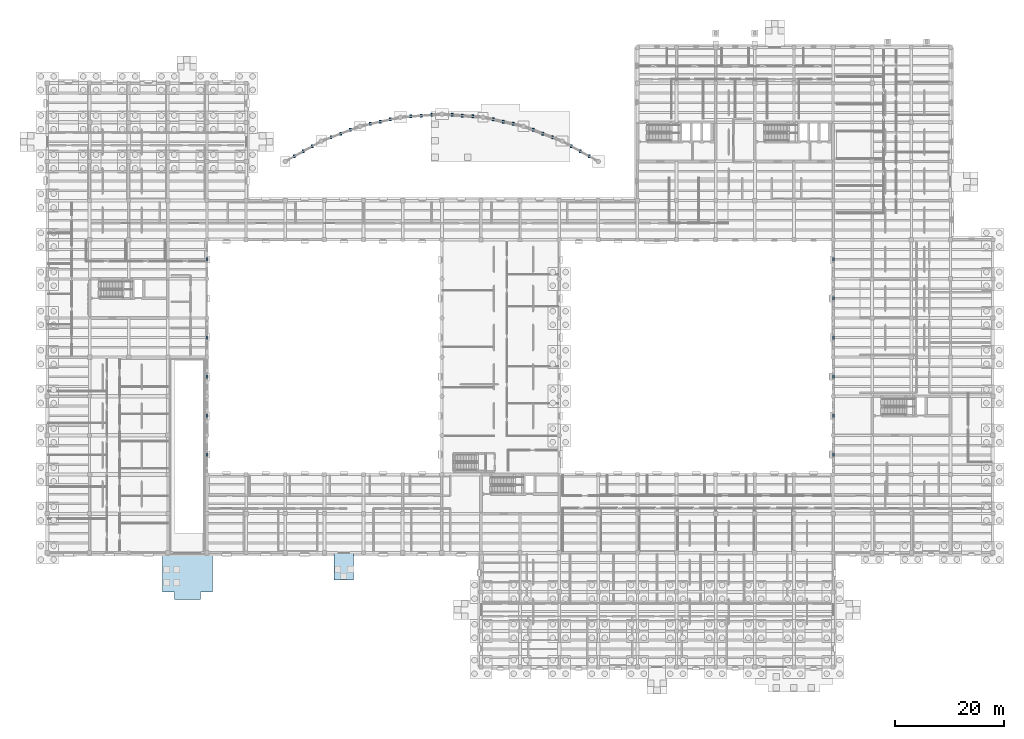
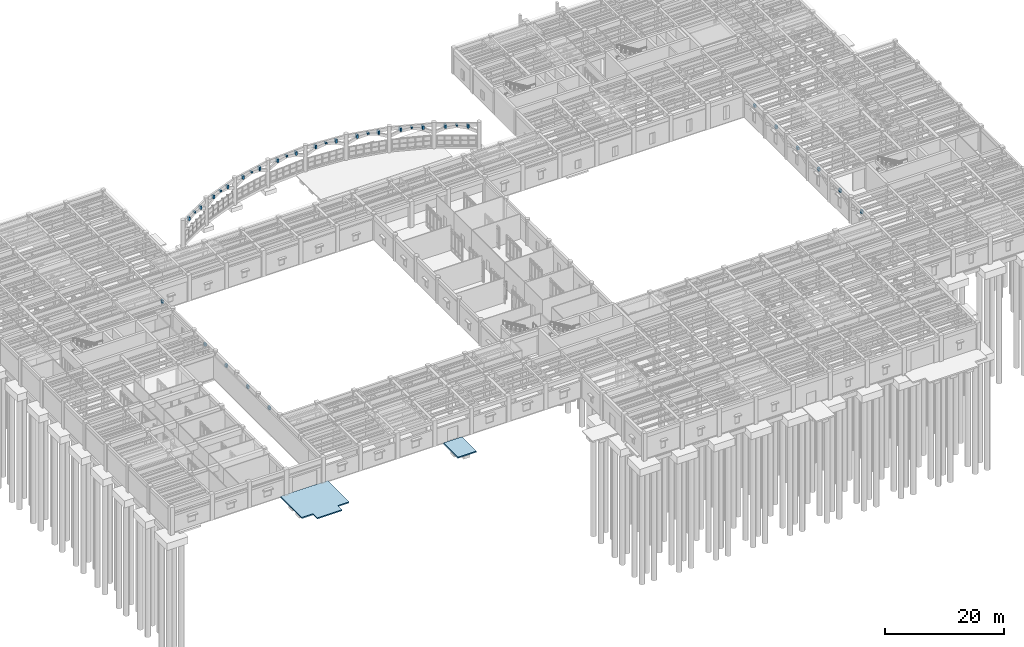
# One storey, part 49 of 100: 35 members, 2 slabs.
"""IFC4 building model written with IfcOpenShell, lengths in metres."""

from ifc_helpers import new_model, si_unit, direction, frame, origin, origin_2d, place, context, subcontext, project, spatial, polyline, rectangle, outline, extrude, material, layer, layer_set, material_profile, profile_set, type_object, element, save


model = new_model("IFC4")

# Units and contexts
model_context = context("Model", 3, precision=1e-05, world=origin(), true_north=direction((0.0, 1.0)))
body_context = subcontext(model_context, "Body", "Model", "MODEL_VIEW")
ifc_project = project(units=[si_unit("LENGTHUNIT", "METRE"), si_unit("AREAUNIT", "SQUARE_METRE"), si_unit("VOLUMEUNIT", "CUBIC_METRE"), si_unit("PLANEANGLEUNIT", "RADIAN"), si_unit("MASSUNIT", "GRAM", prefix="KILO")], contexts=[model_context])

# Site, building, storey
site_placement = place(None, origin())
site = spatial("IfcSite", under=ifc_project, at=site_placement, CompositionType="ELEMENT")
building_placement = place(site_placement, origin())
building = spatial("IfcBuilding", under=site, at=building_placement, Name="Mithqara Police Headquarters", CompositionType="ELEMENT")
storey_placement = place(building_placement, origin())
storey = spatial("IfcBuildingStorey", under=building, at=storey_placement, Name="L00", CompositionType="ELEMENT", Elevation=0.0)

# Members
ifc_material_1 = material(Name="Concrete C50/60", Category="concrete")
ifc_material_profile = material_profile(ifc_material_1, rectangle(XDim=0.35009765625, YDim=0.550048828125, at=origin_2d()), Name="ARC 350x550")
ifc_profile_set = profile_set([ifc_material_profile], Name="Concrete C50/60")
member_type = type_object("IfcMemberType", Name="ARCH SEG 350X550", PredefinedType="STRUT", material=ifc_profile_set)
member_1_placement = place(storey_placement, frame((45.4599609375, 93.936279296875, 4.069091796875), z_axis=(0.0, 0.0, 1.0), x_axis=(1.0, 0.0, 0.0)))
element("IfcMember", 1, at=member_1_placement, inside=storey, type_object=member_type, Name="Forecourt Colonnade Bay 1 Arch Spandrel Post 1", PredefinedType="STRUT", context=body_context, shape_type="SweptSolid", body=[
    extrude(rectangle(XDim=0.35009765625, YDim=0.550048828125, at=origin_2d()), origin(), (0.0, 0.0, 1.0), 0.700927734375),
])
member_2_placement = place(storey_placement, frame((47.1201171875, 94.872802734375, 4.449951171875), z_axis=(0.0, 0.0, 1.0), x_axis=(1.0, 0.0, 0.0)))
element("IfcMember", 2, at=member_2_placement, inside=storey, type_object=member_type, Name="Forecourt Colonnade Bay 1 Arch Spandrel Post 2", PredefinedType="STRUT", context=body_context, shape_type="SweptSolid", body=[
    extrude(rectangle(XDim=0.35009765625, YDim=0.550048828125, at=origin_2d()), origin(), (0.0, 0.0, 1.0), 0.320068359375),
])
for number, where, z_axis, x_axis, name in (
    (3, (48.780029296875, 95.809326171875, 4.069091796875), (0.0, 0.0, 1.0), (1.0, 0.0, 0.0), "Forecourt Colonnade Bay 1 Arch Spandrel Post 3"),
    (4, (52.21923828125, 97.42919921875, 4.069091796875), (0.0, 0.0, 1.0), (1.0, 0.0, 0.0), "Forecourt Colonnade Bay 2 Arch Spandrel Post 1"),
):
    element("IfcMember", number, at=place(storey_placement, frame(where, z_axis=z_axis, x_axis=x_axis)), inside=storey, type_object=member_type, Name=name, PredefinedType="STRUT", context=body_context, shape_type="SweptSolid", body=[
        extrude(rectangle(XDim=0.35009765625, YDim=0.550048828125, at=origin_2d()), origin(), (0.0, 0.0, 1.0), 0.700927734375),
    ])
member_3_placement = place(storey_placement, frame((53.99853515625, 98.113037109375, 4.449951171875), z_axis=(0.0, 0.0, 1.0), x_axis=(1.0, 0.0, 0.0)))
element("IfcMember", 5, at=member_3_placement, inside=storey, type_object=member_type, Name="Forecourt Colonnade Bay 2 Arch Spandrel Post 2", PredefinedType="STRUT", context=body_context, shape_type="SweptSolid", body=[
    extrude(rectangle(XDim=0.35009765625, YDim=0.550048828125, at=origin_2d()), origin(), (0.0, 0.0, 1.0), 0.320068359375),
])
for number, where, z_axis, x_axis, name in (
    (6, (55.777587890625, 98.796630859375, 4.069091796875), (0.0, 0.0, 1.0), (1.0, 0.0, 0.0), "Forecourt Colonnade Bay 2 Arch Spandrel Post 3"),
    (7, (59.416748046875, 99.896484375, 4.069091796875), (0.0, 0.0, 1.0), (1.0, 0.0, 0.0), "Forecourt Colonnade Bay 3 Arch Spandrel Post 1"),
):
    element("IfcMember", number, at=place(storey_placement, frame(where, z_axis=z_axis, x_axis=x_axis)), inside=storey, type_object=member_type, Name=name, PredefinedType="STRUT", context=body_context, shape_type="SweptSolid", body=[
        extrude(rectangle(XDim=0.35009765625, YDim=0.550048828125, at=origin_2d()), origin(), (0.0, 0.0, 1.0), 0.700927734375),
    ])
member_4_placement = place(storey_placement, frame((61.27685546875, 100.3125, 4.449951171875), z_axis=(0.0, 0.0, 1.0), x_axis=(1.0, 0.0, 0.0)))
element("IfcMember", 8, at=member_4_placement, inside=storey, type_object=member_type, Name="Forecourt Colonnade Bay 3 Arch Spandrel Post 2", PredefinedType="STRUT", context=body_context, shape_type="SweptSolid", body=[
    extrude(rectangle(XDim=0.35009765625, YDim=0.550048828125, at=origin_2d()), origin(), (0.0, 0.0, 1.0), 0.320068359375),
])
for number, where, z_axis, x_axis, name in (
    (9, (63.13671875, 100.728759765625, 4.069091796875), (0.0, 0.0, 1.0), (1.0, 0.0, 0.0), "Forecourt Colonnade Bay 3 Arch Spandrel Post 3"),
    (10, (66.8974609375, 101.28466796875, 4.069091796875), (0.0, 0.0, 1.0), (1.0, 0.0, 0.0), "Forecourt Colonnade Bay 4 Arch Spandrel Post 1"),
):
    element("IfcMember", number, at=place(storey_placement, frame(where, z_axis=z_axis, x_axis=x_axis)), inside=storey, type_object=member_type, Name=name, PredefinedType="STRUT", context=body_context, shape_type="SweptSolid", body=[
        extrude(rectangle(XDim=0.35009765625, YDim=0.550048828125, at=origin_2d()), origin(), (0.0, 0.0, 1.0), 0.700927734375),
    ])
member_5_placement = place(storey_placement, frame((68.79833984375, 101.42431640625, 4.449951171875), z_axis=(0.0, 0.0, 1.0), x_axis=(1.0, 0.0, 0.0)))
element("IfcMember", 11, at=member_5_placement, inside=storey, type_object=member_type, Name="Forecourt Colonnade Bay 4 Arch Spandrel Post 2", PredefinedType="STRUT", context=body_context, shape_type="SweptSolid", body=[
    extrude(rectangle(XDim=0.35009765625, YDim=0.550048828125, at=origin_2d()), origin(), (0.0, 0.0, 1.0), 0.320068359375),
])
for number, where, z_axis, x_axis, name in (
    (12, (70.69921875, 101.564208984375, 4.069091796875), (0.0, 0.0, 1.0), (1.0, 0.0, 0.0), "Forecourt Colonnade Bay 4 Arch Spandrel Post 3"),
    (13, (74.500732421875, 101.564208984375, 4.069091796875), (0.0, 0.0, 1.0), (1.0, 0.0, 0.0), "Forecourt Colonnade Bay 5 Arch Spandrel Post 1"),
):
    element("IfcMember", number, at=place(storey_placement, frame(where, z_axis=z_axis, x_axis=x_axis)), inside=storey, type_object=member_type, Name=name, PredefinedType="STRUT", context=body_context, shape_type="SweptSolid", body=[
        extrude(rectangle(XDim=0.35009765625, YDim=0.550048828125, at=origin_2d()), origin(), (0.0, 0.0, 1.0), 0.700927734375),
    ])
member_6_placement = place(storey_placement, frame((76.401611328125, 101.42431640625, 4.449951171875), z_axis=(0.0, 0.0, 1.0), x_axis=(1.0, 0.0, 0.0)))
element("IfcMember", 14, at=member_6_placement, inside=storey, type_object=member_type, Name="Forecourt Colonnade Bay 5 Arch Spandrel Post 2", PredefinedType="STRUT", context=body_context, shape_type="SweptSolid", body=[
    extrude(rectangle(XDim=0.35009765625, YDim=0.550048828125, at=origin_2d()), origin(), (0.0, 0.0, 1.0), 0.320068359375),
])
for number, where, z_axis, x_axis, name in (
    (15, (78.302490234375, 101.28466796875, 4.069091796875), (0.0, 0.0, 1.0), (1.0, 0.0, 0.0), "Forecourt Colonnade Bay 5 Arch Spandrel Post 3"),
    (16, (82.063232421875, 100.728759765625, 4.069091796875), (0.0, 0.0, 1.0), (1.0, 0.0, 0.0), "Forecourt Colonnade Bay 6 Arch Spandrel Post 1"),
):
    element("IfcMember", number, at=place(storey_placement, frame(where, z_axis=z_axis, x_axis=x_axis)), inside=storey, type_object=member_type, Name=name, PredefinedType="STRUT", context=body_context, shape_type="SweptSolid", body=[
        extrude(rectangle(XDim=0.35009765625, YDim=0.550048828125, at=origin_2d()), origin(), (0.0, 0.0, 1.0), 0.700927734375),
    ])
member_7_placement = place(storey_placement, frame((83.923095703125, 100.3125, 4.449951171875), z_axis=(0.0, 0.0, 1.0), x_axis=(1.0, 0.0, 0.0)))
element("IfcMember", 17, at=member_7_placement, inside=storey, type_object=member_type, Name="Forecourt Colonnade Bay 6 Arch Spandrel Post 2", PredefinedType="STRUT", context=body_context, shape_type="SweptSolid", body=[
    extrude(rectangle(XDim=0.35009765625, YDim=0.550048828125, at=origin_2d()), origin(), (0.0, 0.0, 1.0), 0.320068359375),
])
for number, where, z_axis, x_axis, name in (
    (18, (85.783203125, 99.896484375, 4.069091796875), (0.0, 0.0, 1.0), (1.0, 0.0, 0.0), "Forecourt Colonnade Bay 6 Arch Spandrel Post 3"),
    (19, (89.42236328125, 98.796630859375, 4.069091796875), (0.0, 0.0, 1.0), (1.0, 0.0, 0.0), "Forecourt Colonnade Bay 7 Arch Spandrel Post 1"),
):
    element("IfcMember", number, at=place(storey_placement, frame(where, z_axis=z_axis, x_axis=x_axis)), inside=storey, type_object=member_type, Name=name, PredefinedType="STRUT", context=body_context, shape_type="SweptSolid", body=[
        extrude(rectangle(XDim=0.35009765625, YDim=0.550048828125, at=origin_2d()), origin(), (0.0, 0.0, 1.0), 0.700927734375),
    ])
member_8_placement = place(storey_placement, frame((91.201416015625, 98.113037109375, 4.449951171875), z_axis=(0.0, 0.0, 1.0), x_axis=(1.0, 0.0, 0.0)))
element("IfcMember", 20, at=member_8_placement, inside=storey, type_object=member_type, Name="Forecourt Colonnade Bay 7 Arch Spandrel Post 2", PredefinedType="STRUT", context=body_context, shape_type="SweptSolid", body=[
    extrude(rectangle(XDim=0.35009765625, YDim=0.550048828125, at=origin_2d()), origin(), (0.0, 0.0, 1.0), 0.320068359375),
])
for number, where, z_axis, x_axis, name in (
    (21, (92.980712890625, 97.42919921875, 4.069091796875), (0.0, 0.0, 1.0), (1.0, 0.0, 0.0), "Forecourt Colonnade Bay 7 Arch Spandrel Post 3"),
    (22, (96.419921875, 95.809326171875, 4.069091796875), (0.0, 0.0, 1.0), (1.0, 0.0, 0.0), "Forecourt Colonnade Bay 8 Arch Spandrel Post 1"),
):
    element("IfcMember", number, at=place(storey_placement, frame(where, z_axis=z_axis, x_axis=x_axis)), inside=storey, type_object=member_type, Name=name, PredefinedType="STRUT", context=body_context, shape_type="SweptSolid", body=[
        extrude(rectangle(XDim=0.35009765625, YDim=0.550048828125, at=origin_2d()), origin(), (0.0, 0.0, 1.0), 0.700927734375),
    ])
member_9_placement = place(storey_placement, frame((98.079833984375, 94.872802734375, 4.449951171875), z_axis=(0.0, 0.0, 1.0), x_axis=(1.0, 0.0, 0.0)))
element("IfcMember", 23, at=member_9_placement, inside=storey, type_object=member_type, Name="Forecourt Colonnade Bay 8 Arch Spandrel Post 2", PredefinedType="STRUT", context=body_context, shape_type="SweptSolid", body=[
    extrude(rectangle(XDim=0.35009765625, YDim=0.550048828125, at=origin_2d()), origin(), (0.0, 0.0, 1.0), 0.320068359375),
])
member_10_placement = place(storey_placement, frame((99.739990234375, 93.936279296875, 4.069091796875), z_axis=(0.0, 0.0, 1.0), x_axis=(1.0, 0.0, 0.0)))
element("IfcMember", 24, at=member_10_placement, inside=storey, type_object=member_type, Name="Forecourt Colonnade Bay 8 Arch Spandrel Post 3", PredefinedType="STRUT", context=body_context, shape_type="SweptSolid", body=[
    extrude(rectangle(XDim=0.35009765625, YDim=0.550048828125, at=origin_2d()), origin(), (0.0, 0.0, 1.0), 0.700927734375),
])
member_11_placement = place(storey_placement, frame((29.39990234375, 39.0, 4.10009765625), z_axis=(0.0, 0.0, 1.0), x_axis=(1.0, 0.0, 0.0)))
element("IfcMember", 25, at=member_11_placement, inside=storey, type_object=member_type, Name="West Courtyard Cloister Bay 1 Arch Spandrel Post 2", PredefinedType="STRUT", context=body_context, shape_type="SweptSolid", body=[
    extrude(rectangle(XDim=0.35009765625, YDim=0.550048828125, at=origin_2d()), origin(), (0.0, 0.0, 1.0), 0.619873046875),
])
member_12_placement = place(storey_placement, frame((144.60009765625, 39.0, 4.10009765625), z_axis=(0.0, 0.0, 1.0), x_axis=(1.0, 0.0, 0.0)))
element("IfcMember", 26, at=member_12_placement, inside=storey, type_object=member_type, Name="East Courtyard Cloister Bay 1 Arch Spandrel Post 2", PredefinedType="STRUT", context=body_context, shape_type="SweptSolid", body=[
    extrude(rectangle(XDim=0.35009765625, YDim=0.550048828125, at=origin_2d()), origin(), (0.0, 0.0, 1.0), 0.64501953125),
])
member_13_placement = place(storey_placement, frame((29.39990234375, 46.199951171875, 4.10009765625), z_axis=(0.0, 0.0, 1.0), x_axis=(1.0, 0.0, 0.0)))
element("IfcMember", 27, at=member_13_placement, inside=storey, type_object=member_type, Name="West Courtyard Cloister Bay 2 Arch Spandrel Post 2", PredefinedType="STRUT", context=body_context, shape_type="SweptSolid", body=[
    extrude(rectangle(XDim=0.35009765625, YDim=0.550048828125, at=origin_2d()), origin(), (0.0, 0.0, 1.0), 0.594970703125),
])
member_14_placement = place(storey_placement, frame((144.60009765625, 46.199951171875, 4.10009765625), z_axis=(0.0, 0.0, 1.0), x_axis=(1.0, 0.0, 0.0)))
element("IfcMember", 28, at=member_14_placement, inside=storey, type_object=member_type, Name="East Courtyard Cloister Bay 2 Arch Spandrel Post 2", PredefinedType="STRUT", context=body_context, shape_type="SweptSolid", body=[
    extrude(rectangle(XDim=0.35009765625, YDim=0.550048828125, at=origin_2d()), origin(), (0.0, 0.0, 1.0), 0.669921875),
])
member_15_placement = place(storey_placement, frame((29.39990234375, 53.39990234375, 4.10009765625), z_axis=(0.0, 0.0, 1.0), x_axis=(1.0, 0.0, 0.0)))
element("IfcMember", 29, at=member_15_placement, inside=storey, type_object=member_type, Name="West Courtyard Cloister Bay 3 Arch Spandrel Post 2", PredefinedType="STRUT", context=body_context, shape_type="SweptSolid", body=[
    extrude(rectangle(XDim=0.35009765625, YDim=0.550048828125, at=origin_2d()), origin(), (0.0, 0.0, 1.0), 0.56982421875),
])
member_16_placement = place(storey_placement, frame((144.60009765625, 53.39990234375, 4.10009765625), z_axis=(0.0, 0.0, 1.0), x_axis=(1.0, 0.0, 0.0)))
element("IfcMember", 30, at=member_16_placement, inside=storey, type_object=member_type, Name="East Courtyard Cloister Bay 3 Arch Spandrel Post 2", PredefinedType="STRUT", context=body_context, shape_type="SweptSolid", body=[
    extrude(rectangle(XDim=0.35009765625, YDim=0.550048828125, at=origin_2d()), origin(), (0.0, 0.0, 1.0), 0.619873046875),
])
member_17_placement = place(storey_placement, frame((29.39990234375, 60.60009765625, 4.10009765625), z_axis=(0.0, 0.0, 1.0), x_axis=(1.0, 0.0, 0.0)))
element("IfcMember", 31, at=member_17_placement, inside=storey, type_object=member_type, Name="West Courtyard Cloister Bay 4 Arch Spandrel Post 2", PredefinedType="STRUT", context=body_context, shape_type="SweptSolid", body=[
    extrude(rectangle(XDim=0.35009765625, YDim=0.550048828125, at=origin_2d()), origin(), (0.0, 0.0, 1.0), 0.52001953125),
])
member_18_placement = place(storey_placement, frame((144.60009765625, 60.60009765625, 4.10009765625), z_axis=(0.0, 0.0, 1.0), x_axis=(1.0, 0.0, 0.0)))
element("IfcMember", 32, at=member_18_placement, inside=storey, type_object=member_type, Name="East Courtyard Cloister Bay 4 Arch Spandrel Post 2", PredefinedType="STRUT", context=body_context, shape_type="SweptSolid", body=[
    extrude(rectangle(XDim=0.35009765625, YDim=0.550048828125, at=origin_2d()), origin(), (0.0, 0.0, 1.0), 0.594970703125),
])
member_19_placement = place(storey_placement, frame((144.60009765625, 67.800048828125, 4.10009765625), z_axis=(0.0, 0.0, 1.0), x_axis=(1.0, 0.0, 0.0)))
element("IfcMember", 33, at=member_19_placement, inside=storey, type_object=member_type, Name="East Courtyard Cloister Bay 5 Arch Spandrel Post 2", PredefinedType="STRUT", context=body_context, shape_type="SweptSolid", body=[
    extrude(rectangle(XDim=0.35009765625, YDim=0.550048828125, at=origin_2d()), origin(), (0.0, 0.0, 1.0), 0.56982421875),
])
member_20_placement = place(storey_placement, frame((29.39990234375, 75.0, 4.10009765625), z_axis=(0.0, 0.0, 1.0), x_axis=(1.0, 0.0, 0.0)))
element("IfcMember", 34, at=member_20_placement, inside=storey, type_object=member_type, Name="West Courtyard Cloister Bay 6 Arch Spandrel Post 2", PredefinedType="STRUT", context=body_context, shape_type="SweptSolid", body=[
    extrude(rectangle(XDim=0.35009765625, YDim=0.550048828125, at=origin_2d()), origin(), (0.0, 0.0, 1.0), 0.719970703125),
])
member_21_placement = place(storey_placement, frame((144.60009765625, 75.0, 4.10009765625), z_axis=(0.0, 0.0, 1.0), x_axis=(1.0, 0.0, 0.0)))
element("IfcMember", 35, at=member_21_placement, inside=storey, type_object=member_type, Name="East Courtyard Cloister Bay 6 Arch Spandrel Post 2", PredefinedType="STRUT", context=body_context, shape_type="SweptSolid", body=[
    extrude(rectangle(XDim=0.35009765625, YDim=0.550048828125, at=origin_2d()), origin(), (0.0, 0.0, 1.0), 0.52001953125),
])

# Slabs
ifc_material_2 = material(Name="Concrete C40/50", Category="concrete")
ifc_layer = layer(ifc_material_2, 0.260009765625, Name="Concrete C40/50")
ifc_layer_set = layer_set([ifc_layer], Name="Concrete C40/50")
slab_type = type_object("IfcSlabType", Name="PAVING SLAB 260", PredefinedType="FLOOR", material=ifc_layer_set)
slab_1_placement = place(storey_placement, frame((0.0, 0.0, -0.260009765625)))
element("IfcSlab", 36, at=slab_1_placement, inside=storey, type_object=slab_type, Name="Patrol Ramp Driveway Apron", PredefinedType="FLOOR", context=body_context, shape_type="SweptSolid", body=[
    extrude(outline(polyline([(23.39990234375, 12.39990234375), (23.39990234375, 13.800048828125), (21.199951171875, 13.800048828125), (21.199951171875, 21.0), (30.39990234375, 21.0), (30.39990234375, 13.800048828125), (28.199951171875, 13.800048828125), (28.199951171875, 12.39990234375), (23.39990234375, 12.39990234375)])), origin(), (0.0, 0.0, 1.0), 0.260009765625),
])
slab_2_placement = place(storey_placement, frame((0.0, 0.0, -0.260009765625)))
element("IfcSlab", 37, at=slab_2_placement, inside=storey, type_object=slab_type, Name="Ground Exit Threshold Apron 9", PredefinedType="FLOOR", context=body_context, shape_type="SweptSolid", body=[
    extrude(outline(polyline([(56.39990234375, 20.840087890625), (56.39990234375, 15.989990234375), (52.800048828125, 15.989990234375), (52.800048828125, 20.840087890625), (56.39990234375, 20.840087890625)])), origin(), (0.0, 0.0, 1.0), 0.260009765625),
])

save(model, "model.ifc")
